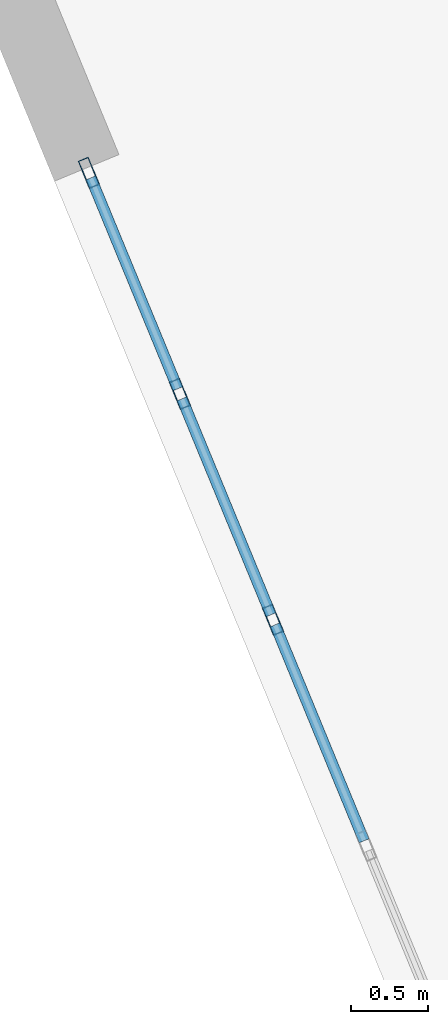
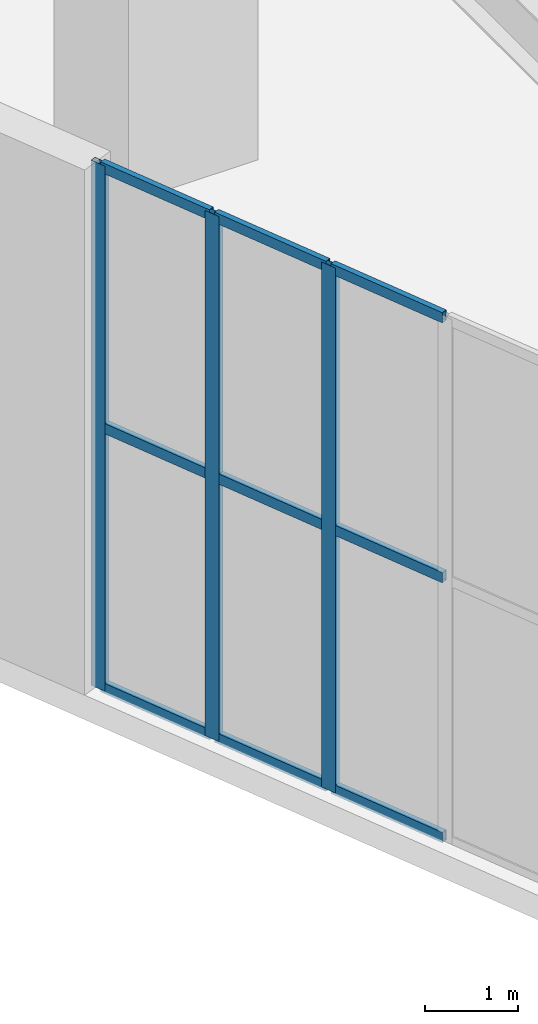
# One storey, part 4 of 17: 12 members, 1 element without a shape of its own.
"""IFC4 building model written with IfcOpenShell, lengths in metres."""

from ifc_helpers import new_model, si_unit, direction, frame, origin, origin_2d, place, context, subcontext, project, spatial, hollow_rectangle, extrude, material, layer, layer_set, material_profile, profile_set, type_object, element, aggregate, save


model = new_model("IFC4")

# Units and contexts
model_context = context("Model", 3, precision=1e-05, world=origin(), true_north=direction((0.0, 1.0)))
body_context = subcontext(model_context, "Body", "Model", "MODEL_VIEW")
ifc_project = project(units=[si_unit("LENGTHUNIT", "METRE"), si_unit("AREAUNIT", "SQUARE_METRE"), si_unit("VOLUMEUNIT", "CUBIC_METRE"), si_unit("PLANEANGLEUNIT", "RADIAN"), si_unit("MASSUNIT", "GRAM", prefix="KILO")], contexts=[model_context])

# Site, building, storey
site_placement = place(None, origin())
site = spatial("IfcSite", under=ifc_project, at=site_placement, CompositionType="ELEMENT")
building_placement = place(site_placement, origin())
building = spatial("IfcBuilding", under=site, at=building_placement, Name="Kilnhurst Terrace Hotel", CompositionType="ELEMENT")
storey_placement = place(building_placement, frame((0.0, 0.0, 11.39990234375)))
storey = spatial("IfcBuildingStorey", under=building, at=storey_placement, Name="L02", CompositionType="ELEMENT", Elevation=11.39990234375)

# Curtain wall, members
ifc_material_1 = material(Name="Anodized Aluminium Alloy 6063-T6 and Low-E Glass", Category="aluminium")
ifc_layer = layer(ifc_material_1, 0.219970703125, Name="Anodized Aluminium Alloy 6063-T6 and Low-E Glass")
ifc_layer_set = layer_set([ifc_layer], Name="Anodized Aluminium Alloy 6063-T6 and Low-E Glass")
curtain_wall_type = type_object("IfcCurtainWallType", Name="CW-POD-TERR", PredefinedType="NOTDEFINED", material=ifc_layer_set)
curtain_wall_placement = place(storey_placement, origin())
curtain_wall = element("IfcCurtainWall", 1, at=curtain_wall_placement, inside=storey, type_object=curtain_wall_type, Name="L02 Curtain Wall CW-L02-F6-1", PredefinedType="NOTDEFINED")
ifc_material_2 = material(Name="Extruded Aluminium Alloy 6063-T6", Category="aluminium")
ifc_material_profile_1 = material_profile(ifc_material_2, hollow_rectangle(XDim=0.070068359375, YDim=0.18994140625, WallThickness=0.00390625, at=origin_2d()), Name="CWM70X190")
ifc_profile_set_1 = profile_set([ifc_material_profile_1], Name="Extruded Aluminium Alloy 6063-T6")
member_type_1 = type_object("IfcMemberType", Name="MEM-CWM70X190", PredefinedType="MULLION", material=ifc_profile_set_1)
member_1_placement = place(storey_placement, frame((-27.09716796875, -8.49365234375, 0.0), z_axis=(0.0, 0.0, 1.0), x_axis=(0.924544973809, 0.381072947615, 0.0)))
member_1 = element("IfcMember", 2, at=member_1_placement, type_object=member_type_1, Name="CWT-2 mullion 1", PredefinedType="MULLION", context=body_context, shape_type="SweptSolid", body=[
    extrude(hollow_rectangle(XDim=0.070068359375, YDim=0.18994140625, WallThickness=0.00390625, at=origin_2d()), origin(), (0.0, 0.0, 1.0), 6.880126953125),
])
member_2_placement = place(storey_placement, frame((-26.50927734375, -9.920166015625, 0.0), z_axis=(0.0, 0.0, 1.0), x_axis=(0.924544973809, 0.381072947615, 0.0)))
member_2 = element("IfcMember", 3, at=member_2_placement, type_object=member_type_1, Name="CWT-2 mullion 2", PredefinedType="MULLION", context=body_context, shape_type="SweptSolid", body=[
    extrude(hollow_rectangle(XDim=0.070068359375, YDim=0.18994140625, WallThickness=0.00390625, at=origin_2d()), origin(), (0.0, 0.0, 1.0), 6.880126953125),
])
member_3_placement = place(storey_placement, frame((-25.908203125, -11.37890625, 0.0), z_axis=(0.0, 0.0, 1.0), x_axis=(0.924544973809, 0.381072947615, 0.0)))
member_3 = element("IfcMember", 4, at=member_3_placement, type_object=member_type_1, Name="CWT-2 mullion 3", PredefinedType="MULLION", context=body_context, shape_type="SweptSolid", body=[
    extrude(hollow_rectangle(XDim=0.070068359375, YDim=0.18994140625, WallThickness=0.00390625, at=origin_2d()), origin(), (0.0, 0.0, 1.0), 6.880126953125),
])
ifc_material_profile_2 = material_profile(ifc_material_2, hollow_rectangle(XDim=0.070068359375, YDim=0.135009765625, WallThickness=0.00390625, at=origin_2d()), Name="CWT70X135")
ifc_profile_set_2 = profile_set([ifc_material_profile_2], Name="Extruded Aluminium Alloy 6063-T6")
member_type_2 = type_object("IfcMemberType", Name="MEM-CWT70X135", PredefinedType="USERDEFINED", material=ifc_profile_set_2)
member_4_placement = place(storey_placement, frame((-27.083984375, -8.526123046875, 0.03515625), z_axis=(0.381116638222, -0.924526964491, 0.0), x_axis=(0.924526964491, 0.381116638222, 0.0)))
member_4 = element("IfcMember", 5, at=member_4_placement, type_object=member_type_2, Name="CWT-2 transom 1.1", ObjectType="TRANSOM", PredefinedType="USERDEFINED", context=body_context, shape_type="SweptSolid", body=[
    extrude(hollow_rectangle(XDim=0.070068359375, YDim=0.135009765625, WallThickness=0.00390625, at=origin_2d()), origin(), (0.0, 0.0, 1.0), 1.47265625),
])
member_5_placement = place(storey_placement, frame((-27.083984375, -8.526123046875, 3.440185546875), z_axis=(0.381116638222, -0.924526964491, 0.0), x_axis=(0.924526964491, 0.381116638222, 0.0)))
member_5 = element("IfcMember", 6, at=member_5_placement, type_object=member_type_2, Name="CWT-2 transom 1.2", ObjectType="TRANSOM", PredefinedType="USERDEFINED", context=body_context, shape_type="SweptSolid", body=[
    extrude(hollow_rectangle(XDim=0.070068359375, YDim=0.135009765625, WallThickness=0.00390625, at=origin_2d()), origin(), (0.0, 0.0, 1.0), 1.47265625),
])
member_6_placement = place(storey_placement, frame((-27.083984375, -8.526123046875, 6.84521484375), z_axis=(0.381116638222, -0.924526964491, 0.0), x_axis=(0.924526964491, 0.381116638222, 0.0)))
member_6 = element("IfcMember", 7, at=member_6_placement, type_object=member_type_2, Name="CWT-2 transom 1.3", ObjectType="TRANSOM", PredefinedType="USERDEFINED", context=body_context, shape_type="SweptSolid", body=[
    extrude(hollow_rectangle(XDim=0.070068359375, YDim=0.135009765625, WallThickness=0.00390625, at=origin_2d()), origin(), (0.0, 0.0, 1.0), 1.47265625),
])
member_7_placement = place(storey_placement, frame((-26.49609375, -9.952392578125, 0.03515625), z_axis=(0.381140659183, -0.924517061994, 0.0), x_axis=(0.924517061994, 0.381140659183, 0.0)))
member_7 = element("IfcMember", 8, at=member_7_placement, type_object=member_type_2, Name="CWT-2 transom 2.1", ObjectType="TRANSOM", PredefinedType="USERDEFINED", context=body_context, shape_type="SweptSolid", body=[
    extrude(hollow_rectangle(XDim=0.070068359375, YDim=0.135009765625, WallThickness=0.00390625, at=origin_2d()), origin(), (0.0, 0.0, 1.0), 1.5078125),
])
member_8_placement = place(storey_placement, frame((-26.49609375, -9.952392578125, 3.440185546875), z_axis=(0.381140659183, -0.924517061994, 0.0), x_axis=(0.924517061994, 0.381140659183, 0.0)))
member_8 = element("IfcMember", 9, at=member_8_placement, type_object=member_type_2, Name="CWT-2 transom 2.2", ObjectType="TRANSOM", PredefinedType="USERDEFINED", context=body_context, shape_type="SweptSolid", body=[
    extrude(hollow_rectangle(XDim=0.070068359375, YDim=0.135009765625, WallThickness=0.00390625, at=origin_2d()), origin(), (0.0, 0.0, 1.0), 1.5078125),
])
member_9_placement = place(storey_placement, frame((-26.49609375, -9.952392578125, 6.84521484375), z_axis=(0.381140659183, -0.924517061994, 0.0), x_axis=(0.924517061994, 0.381140659183, 0.0)))
member_9 = element("IfcMember", 10, at=member_9_placement, type_object=member_type_2, Name="CWT-2 transom 2.3", ObjectType="TRANSOM", PredefinedType="USERDEFINED", context=body_context, shape_type="SweptSolid", body=[
    extrude(hollow_rectangle(XDim=0.070068359375, YDim=0.135009765625, WallThickness=0.00390625, at=origin_2d()), origin(), (0.0, 0.0, 1.0), 1.5078125),
])
member_10_placement = place(storey_placement, frame((-25.894775390625, -11.4111328125, 0.03515625), z_axis=(0.381002255107, -0.924574108227, 0.0), x_axis=(0.924574108227, 0.381002255107, 0.0)))
member_10 = element("IfcMember", 11, at=member_10_placement, type_object=member_type_2, Name="CWT-2 transom 3.1", ObjectType="TRANSOM", PredefinedType="USERDEFINED", context=body_context, shape_type="SweptSolid", body=[
    extrude(hollow_rectangle(XDim=0.070068359375, YDim=0.135009765625, WallThickness=0.00390625, at=origin_2d()), origin(), (0.0, 0.0, 1.0), 1.5078125),
])
member_11_placement = place(storey_placement, frame((-25.894775390625, -11.4111328125, 3.440185546875), z_axis=(0.381002255107, -0.924574108227, 0.0), x_axis=(0.924574108227, 0.381002255107, 0.0)))
member_11 = element("IfcMember", 12, at=member_11_placement, type_object=member_type_2, Name="CWT-2 transom 3.2", ObjectType="TRANSOM", PredefinedType="USERDEFINED", context=body_context, shape_type="SweptSolid", body=[
    extrude(hollow_rectangle(XDim=0.070068359375, YDim=0.135009765625, WallThickness=0.00390625, at=origin_2d()), origin(), (0.0, 0.0, 1.0), 1.5078125),
])
member_12_placement = place(storey_placement, frame((-25.894775390625, -11.4111328125, 6.84521484375), z_axis=(0.381002255107, -0.924574108227, 0.0), x_axis=(0.924574108227, 0.381002255107, 0.0)))
member_12 = element("IfcMember", 13, at=member_12_placement, type_object=member_type_2, Name="CWT-2 transom 3.3", ObjectType="TRANSOM", PredefinedType="USERDEFINED", context=body_context, shape_type="SweptSolid", body=[
    extrude(hollow_rectangle(XDim=0.070068359375, YDim=0.135009765625, WallThickness=0.00390625, at=origin_2d()), origin(), (0.0, 0.0, 1.0), 1.5078125),
])
aggregate(curtain_wall, [member_1, member_2, member_3, member_4, member_5, member_6, member_7, member_8, member_9, member_10, member_11, member_12])

save(model, "model.ifc")
